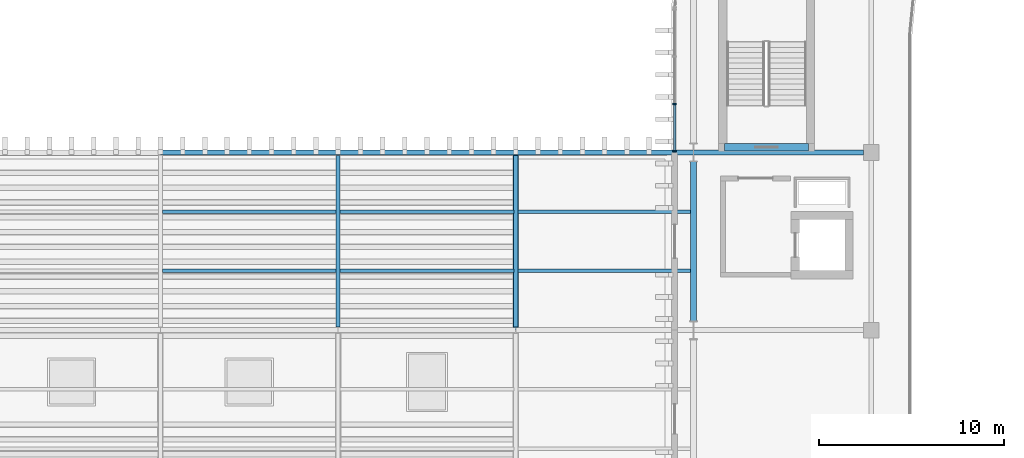
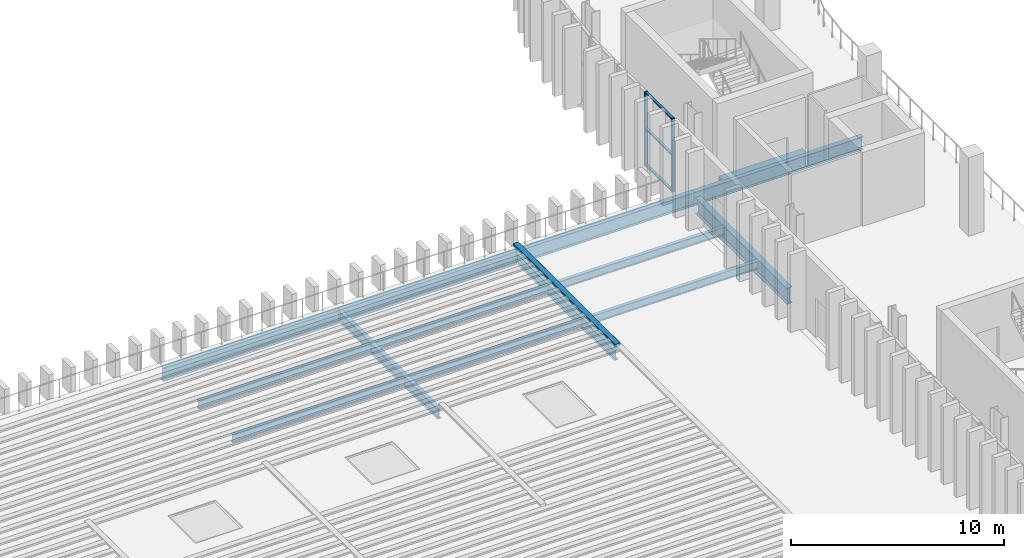
# One storey, part 17 of 92: 14 beams, 6 members, 1 element without a shape of its own.
"""IFC4 building model written with IfcOpenShell, lengths in metres."""

from ifc_helpers import new_model, si_unit, direction, frame, origin, origin_2d, place, context, subcontext, project, spatial, rectangle, hollow_rectangle, i_section, extrude, material, layer, layer_set, material_profile, profile_set, type_object, element, aggregate, save


model = new_model("IFC4")

# Units and contexts
model_context = context("Model", 3, precision=1e-05, world=origin(), true_north=direction((0.0, 1.0)))
body_context = subcontext(model_context, "Body", "Model", "MODEL_VIEW")
ifc_project = project(units=[si_unit("LENGTHUNIT", "METRE"), si_unit("AREAUNIT", "SQUARE_METRE"), si_unit("VOLUMEUNIT", "CUBIC_METRE"), si_unit("PLANEANGLEUNIT", "RADIAN"), si_unit("MASSUNIT", "GRAM", prefix="KILO")], contexts=[model_context])

# Site, building, storey
site_placement = place(None, origin())
site = spatial("IfcSite", under=ifc_project, at=site_placement, CompositionType="ELEMENT")
building_placement = place(site_placement, origin())
building = spatial("IfcBuilding", under=site, at=building_placement, Name="Caelomonte Colonnade Arena", CompositionType="ELEMENT")
storey_placement = place(building_placement, frame((0.0, 0.0, 9.60009765625)))
storey = spatial("IfcBuildingStorey", under=building, at=storey_placement, Name="L02", CompositionType="ELEMENT", Elevation=9.60009765625)

# Curtain wall, members
ifc_material_1 = material(Name="Bronze anodised aluminium and low-E glazing", Category="aluminium")
ifc_layer = layer(ifc_material_1, 0.179931640625)
ifc_layer_set = layer_set([ifc_layer], Name="Bronze anodised aluminium and low-E glazing")
curtain_wall_type = type_object("IfcCurtainWallType", Name="ENV-CW-CW-L02-79-42", PredefinedType="USERDEFINED", material=ifc_layer_set)
curtain_wall_placement = place(storey_placement, origin())
curtain_wall = element("IfcCurtainWall", 1, at=curtain_wall_placement, inside=storey, type_object=curtain_wall_type, Name="L02 unitized curtain wall CW-L02-0566-0904", ObjectType="UNITIZED CURTAIN WALL", PredefinedType="USERDEFINED")
ifc_material_2 = material(Name="Bronze anodised aluminium AA6063-T6", Category="aluminium")
ifc_material_profile_1 = material_profile(ifc_material_2, rectangle(XDim=0.070068359375, YDim=0.179931640625, at=origin_2d()), Name="CWM-70X180")
ifc_profile_set_1 = profile_set([ifc_material_profile_1], Name="Bronze anodised aluminium AA6063-T6")
member_type_1 = type_object("IfcMemberType", Name="ENV-CW-MULL1", PredefinedType="MULLION", material=ifc_profile_set_1)
member_1_placement = place(storey_placement, frame((56.580078125, 89.013427734375, 0.0), z_axis=(0.0, 0.0, 1.0), x_axis=(0.0, -1.0, 0.0)))
member_1 = element("IfcMember", 2, at=member_1_placement, type_object=member_type_1, Name="CW-L02-79-42 mullion 3", PredefinedType="MULLION", context=body_context, shape_type="SweptSolid", body=[
    extrude(rectangle(XDim=0.070068359375, YDim=0.179931640625, at=origin_2d()), origin(), (0.0, 0.0, 1.0), 4.219970703125),
])
member_2_placement = place(storey_placement, frame((56.580078125, 86.47509765625, 0.0), z_axis=(0.0, 0.0, 1.0), x_axis=(0.0, -1.0, 0.0)))
member_2 = element("IfcMember", 3, at=member_2_placement, type_object=member_type_1, Name="CW-L02-79-42 mullion 4", PredefinedType="MULLION", context=body_context, shape_type="SweptSolid", body=[
    extrude(rectangle(XDim=0.070068359375, YDim=0.179931640625, at=origin_2d()), origin(), (0.0, 0.0, 1.0), 4.219970703125),
])
ifc_material_profile_2 = material_profile(ifc_material_2, rectangle(XDim=0.070068359375, YDim=0.139892578125, at=origin_2d()), Name="CWT-70X140")
ifc_profile_set_2 = profile_set([ifc_material_profile_2], Name="Bronze anodised aluminium AA6063-T6")
member_type_2 = type_object("IfcMemberType", Name="ENV-CW-TRAN1", PredefinedType="USERDEFINED", material=ifc_profile_set_2)
member_3_placement = place(storey_placement, frame((56.580078125, 88.978271484375, 0.034912109375), z_axis=(0.0, -1.0, 0.0), x_axis=(0.0, 0.0, 1.0)))
member_3 = element("IfcMember", 4, at=member_3_placement, type_object=member_type_2, Name="CW-L02-79-42 transom 3.1", ObjectType="TRANSOM", PredefinedType="USERDEFINED", context=body_context, shape_type="SweptSolid", body=[
    extrude(rectangle(XDim=0.070068359375, YDim=0.139892578125, at=origin_2d()), origin(), (0.0, 0.0, 1.0), 2.46826171875),
])
member_4_placement = place(storey_placement, frame((56.580078125, 88.978271484375, 2.10986328125), z_axis=(0.0, -1.0, 0.0), x_axis=(0.0, 0.0, 1.0)))
member_4 = element("IfcMember", 5, at=member_4_placement, type_object=member_type_2, Name="CW-L02-79-42 transom 3.2", ObjectType="TRANSOM", PredefinedType="USERDEFINED", context=body_context, shape_type="SweptSolid", body=[
    extrude(rectangle(XDim=0.070068359375, YDim=0.139892578125, at=origin_2d()), origin(), (0.0, 0.0, 1.0), 2.46826171875),
])
member_5_placement = place(storey_placement, frame((56.580078125, 88.978271484375, 4.184814453125), z_axis=(0.0, -1.0, 0.0), x_axis=(0.0, 0.0, 1.0)))
member_5 = element("IfcMember", 6, at=member_5_placement, type_object=member_type_2, Name="CW-L02-79-42 transom 3.3", ObjectType="TRANSOM", PredefinedType="USERDEFINED", context=body_context, shape_type="SweptSolid", body=[
    extrude(rectangle(XDim=0.070068359375, YDim=0.139892578125, at=origin_2d()), origin(), (0.0, 0.0, 1.0), 2.46826171875),
])
aggregate(curtain_wall, [member_1, member_2, member_3, member_4, member_5])

# Beams
ifc_material_3 = material(Name="Wide-flange steel ASTM A992 Grade 50", Category="steel")
ifc_material_profile_3 = material_profile(ifc_material_3, i_section(OverallWidth=0.307861328125, OverallDepth=0.927001953125, WebThickness=0.019287109375, FlangeThickness=0.031982421875, FilletRadius=0.020263671875, at=origin_2d()), Name="W36X194")
ifc_profile_set_3 = profile_set([ifc_material_profile_3], Name="Wide-flange steel ASTM A992 Grade 50")
beam_type_1 = type_object("IfcBeamType", Name="STR-BM-EAVES2", PredefinedType="SPANDREL", material=ifc_profile_set_3)
beam_1_placement = place(storey_placement, frame((57.60009765625, 77.29736328125, -0.74365234375), z_axis=(0.0, 1.0, 0.0), x_axis=(-1.0, 0.0, 0.0)))
element("IfcBeam", 7, at=beam_1_placement, inside=storey, type_object=beam_type_1, Name="L02 girder BMY-L02-0576-0768", PredefinedType="SPANDREL", context=body_context, shape_type="SweptSolid", body=[
    extrude(i_section(OverallWidth=0.307861328125, OverallDepth=0.927001953125, WebThickness=0.019287109375, FlangeThickness=0.031982421875, FilletRadius=0.020263671875, at=origin_2d()), origin(), (0.0, 0.0, 1.0), 8.605224609375),
])
ifc_material_profile_4 = material_profile(ifc_material_3, i_section(OverallWidth=0.228271484375, OverallDepth=0.607177734375, WebThickness=0.01123046875, FlangeThickness=0.017333984375, FilletRadius=0.0126953125, at=origin_2d()), Name="W24X76")
ifc_profile_set_4 = profile_set([ifc_material_profile_4], Name="Wide-flange steel ASTM A992 Grade 50")
beam_type_2 = type_object("IfcBeamType", Name="STR-BM-GIRD24", PredefinedType="BEAM", material=ifc_profile_set_4)
for number, where, z_axis, x_axis, name in (
    (8, (38.39990234375, 76.97021484375, -0.58349609375), (0.0, 1.0, 0.0), (-1.0, 0.0, 0.0), "L02 girder BMY-L02-0384-0768"),
    (9, (48.0, 76.97021484375, -0.58349609375), (0.0, 1.0, 0.0), (-1.0, 0.0, 0.0), "L02 girder BMY-L02-0480-0768"),
):
    element("IfcBeam", number, at=place(storey_placement, frame(where, z_axis=z_axis, x_axis=x_axis)), inside=storey, type_object=beam_type_2, Name=name, PredefinedType="BEAM", context=body_context, shape_type="SweptSolid", body=[
        extrude(i_section(OverallWidth=0.228271484375, OverallDepth=0.607177734375, WebThickness=0.01123046875, FlangeThickness=0.017333984375, FilletRadius=0.0126953125, at=origin_2d()), origin(), (0.0, 0.0, 1.0), 9.259765625),
    ])
ifc_material_profile_5 = material_profile(ifc_material_3, i_section(OverallWidth=0.2666015625, OverallDepth=0.761962890625, WebThickness=0.014404296875, FlangeThickness=0.021484375, FilletRadius=0.0166015625, at=origin_2d()), Name="W30X116")
ifc_profile_set_5 = profile_set([ifc_material_profile_5], Name="Wide-flange steel ASTM A992 Grade 50")
beam_type_3 = type_object("IfcBeamType", Name="STR-BM-GIRD30", PredefinedType="BEAM", material=ifc_profile_set_5)
beam_2_placement = place(storey_placement, frame((28.8056640625, 86.39990234375, -0.6611328125), z_axis=(1.0, 0.0, 0.0), x_axis=(0.0, 1.0, 0.0)))
element("IfcBeam", 10, at=beam_2_placement, inside=storey, type_object=beam_type_3, Name="L02 girder BMX-L02-0288-0864", PredefinedType="BEAM", context=body_context, shape_type="SweptSolid", body=[
    extrude(i_section(OverallWidth=0.2666015625, OverallDepth=0.761962890625, WebThickness=0.014404296875, FlangeThickness=0.021484375, FilletRadius=0.0166015625, at=origin_2d()), origin(), (0.0, 0.0, 1.0), 9.588623046875),
])
beam_3_placement = place(storey_placement, frame((38.405517578125, 86.39990234375, -0.6611328125), z_axis=(1.0, 0.0, 0.0), x_axis=(0.0, 1.0, 0.0)))
element("IfcBeam", 11, at=beam_3_placement, inside=storey, type_object=beam_type_3, Name="L02 girder BMX-L02-0384-0864", PredefinedType="BEAM", context=body_context, shape_type="SweptSolid", body=[
    extrude(i_section(OverallWidth=0.2666015625, OverallDepth=0.761962890625, WebThickness=0.014404296875, FlangeThickness=0.021484375, FilletRadius=0.0166015625, at=origin_2d()), origin(), (0.0, 0.0, 1.0), 9.5888671875),
])
beam_4_placement = place(storey_placement, frame((48.005615234375, 86.39990234375, -0.6611328125), z_axis=(1.0, 0.0, 0.0), x_axis=(0.0, 1.0, 0.0)))
element("IfcBeam", 12, at=beam_4_placement, inside=storey, type_object=beam_type_3, Name="L02 girder BMX-L02-0480-0864", PredefinedType="BEAM", context=body_context, shape_type="SweptSolid", body=[
    extrude(i_section(OverallWidth=0.2666015625, OverallDepth=0.761962890625, WebThickness=0.014404296875, FlangeThickness=0.021484375, FilletRadius=0.0166015625, at=origin_2d()), origin(), (0.0, 0.0, 1.0), 9.58251953125),
])
beam_5_placement = place(storey_placement, frame((57.61181640625, 86.39990234375, -0.6611328125), z_axis=(1.0, 0.0, 0.0), x_axis=(0.0, 1.0, 0.0)))
element("IfcBeam", 13, at=beam_5_placement, inside=storey, type_object=beam_type_3, Name="L02 girder BMX-L02-0576-0864", PredefinedType="BEAM", context=body_context, shape_type="SweptSolid", body=[
    extrude(i_section(OverallWidth=0.2666015625, OverallDepth=0.761962890625, WebThickness=0.014404296875, FlangeThickness=0.021484375, FilletRadius=0.0166015625, at=origin_2d()), origin(), (0.0, 0.0, 1.0), 9.171142578125),
])
ifc_material_profile_6 = material_profile(ifc_material_3, i_section(OverallWidth=0.1904296875, OverallDepth=0.457275390625, WebThickness=0.009033203125, FlangeThickness=0.014404296875, FilletRadius=0.01025390625, at=origin_2d()), Name="W18X50")
ifc_profile_set_6 = profile_set([ifc_material_profile_6], Name="Wide-flange steel ASTM A992 Grade 50")
beam_type_4 = type_object("IfcBeamType", Name="STR-BM-JOIST18", PredefinedType="JOIST", material=ifc_profile_set_6)
for number, where, z_axis, x_axis, name in (
    (14, (28.9091796875, 80.0, -0.5087890625), (1.0, 0.0, 0.0), (0.0, 1.0, 0.0), "L02 secondary joist 1"),
    (15, (28.9091796875, 83.199951171875, -0.5087890625), (1.0, 0.0, 0.0), (0.0, 1.0, 0.0), "L02 secondary joist 2"),
):
    element("IfcBeam", number, at=place(storey_placement, frame(where, z_axis=z_axis, x_axis=x_axis)), inside=storey, type_object=beam_type_4, Name=name, PredefinedType="JOIST", context=body_context, shape_type="SweptSolid", body=[
        extrude(i_section(OverallWidth=0.1904296875, OverallDepth=0.457275390625, WebThickness=0.009033203125, FlangeThickness=0.014404296875, FilletRadius=0.01025390625, at=origin_2d()), origin(), (0.0, 0.0, 1.0), 9.381591796875),
    ])
for number, where, z_axis, x_axis, name in (
    (16, (38.509033203125, 80.0, -0.5087890625), (1.0, 0.0, 0.0), (0.0, 1.0, 0.0), "L02 secondary joist 1"),
    (17, (38.509033203125, 83.199951171875, -0.5087890625), (1.0, 0.0, 0.0), (0.0, 1.0, 0.0), "L02 secondary joist 2"),
):
    element("IfcBeam", number, at=place(storey_placement, frame(where, z_axis=z_axis, x_axis=x_axis)), inside=storey, type_object=beam_type_4, Name=name, PredefinedType="JOIST", context=body_context, shape_type="SweptSolid", body=[
        extrude(i_section(OverallWidth=0.1904296875, OverallDepth=0.457275390625, WebThickness=0.009033203125, FlangeThickness=0.014404296875, FilletRadius=0.01025390625, at=origin_2d()), origin(), (0.0, 0.0, 1.0), 9.3818359375),
    ])
for number, where, z_axis, x_axis, name in (
    (18, (48.109130859375, 80.0, -0.5087890625), (1.0, 0.0, 0.0), (0.0, 1.0, 0.0), "L02 secondary joist 1"),
    (19, (48.109130859375, 83.199951171875, -0.5087890625), (1.0, 0.0, 0.0), (0.0, 1.0, 0.0), "L02 secondary joist 2"),
):
    element("IfcBeam", number, at=place(storey_placement, frame(where, z_axis=z_axis, x_axis=x_axis)), inside=storey, type_object=beam_type_4, Name=name, PredefinedType="JOIST", context=body_context, shape_type="SweptSolid", body=[
        extrude(i_section(OverallWidth=0.1904296875, OverallDepth=0.457275390625, WebThickness=0.009033203125, FlangeThickness=0.014404296875, FilletRadius=0.01025390625, at=origin_2d()), origin(), (0.0, 0.0, 1.0), 9.342041015625),
    ])
ifc_material_4 = material(Name="Concrete C40/50", Category="concrete")
ifc_material_profile_7 = material_profile(ifc_material_4, rectangle(XDim=0.39990234375, YDim=0.64990234375, at=origin_2d()), Name="RC400X650")
ifc_profile_set_7 = profile_set([ifc_material_profile_7], Name="Concrete C40/50")
beam_type_5 = type_object("IfcBeamType", Name="STR-BM-LINT40", PredefinedType="LINTEL", material=ifc_profile_set_7)
beam_6_placement = place(storey_placement, frame((59.27490234375, 86.675048828125, -0.60498046875), z_axis=(1.0, 0.0, 0.0), x_axis=(0.0, 1.0, 0.0)))
element("IfcBeam", 20, at=beam_6_placement, inside=storey, type_object=beam_type_5, Name="Core C4 L02 coupling lintel beam", PredefinedType="LINTEL", context=body_context, shape_type="SweptSolid", body=[
    extrude(rectangle(XDim=0.39990234375, YDim=0.64990234375, at=origin_2d()), origin(), (0.0, 0.0, 1.0), 4.550048828125),
])

# Member
ifc_material_5 = material(Name="Steel ASTM A500 Grade C", Category="steel")
ifc_material_profile_8 = material_profile(ifc_material_5, hollow_rectangle(XDim=0.300048828125, YDim=0.14990234375, WallThickness=0.008056640625, InnerFilletRadius=0.008056640625, OuterFilletRadius=0.01611328125, at=origin_2d()), Name="HSS300X150X8")
ifc_profile_set_8 = profile_set([ifc_material_profile_8], Name="Steel ASTM A500 Grade C")
member_type_3 = type_object("IfcMemberType", Name="STR-LW-PAR1", PredefinedType="STRUT", material=ifc_profile_set_8)
member_6_placement = place(storey_placement, frame((48.0, 76.803955078125, 0.074951171875), z_axis=(0.0, 1.0, 0.0), x_axis=(-1.0, 0.0, 0.0)))
element("IfcMember", 21, at=member_6_placement, inside=storey, type_object=member_type_3, Name="Planted lawn parterre planter header HDR-E6", PredefinedType="STRUT", context=body_context, shape_type="SweptSolid", body=[
    extrude(hollow_rectangle(XDim=0.300048828125, YDim=0.14990234375, WallThickness=0.008056640625, InnerFilletRadius=0.008056640625, OuterFilletRadius=0.01611328125, at=origin_2d()), origin(), (0.0, 0.0, 1.0), 9.592041015625),
])

save(model, "model.ifc")
